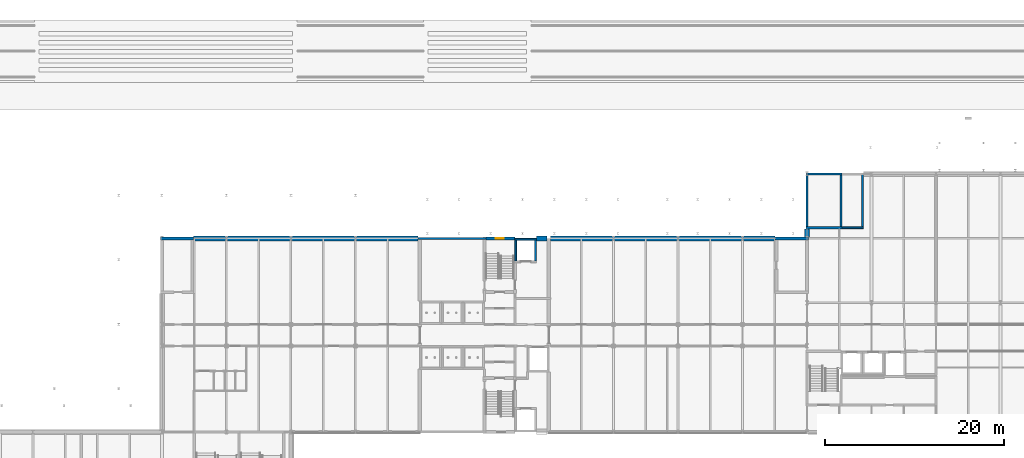
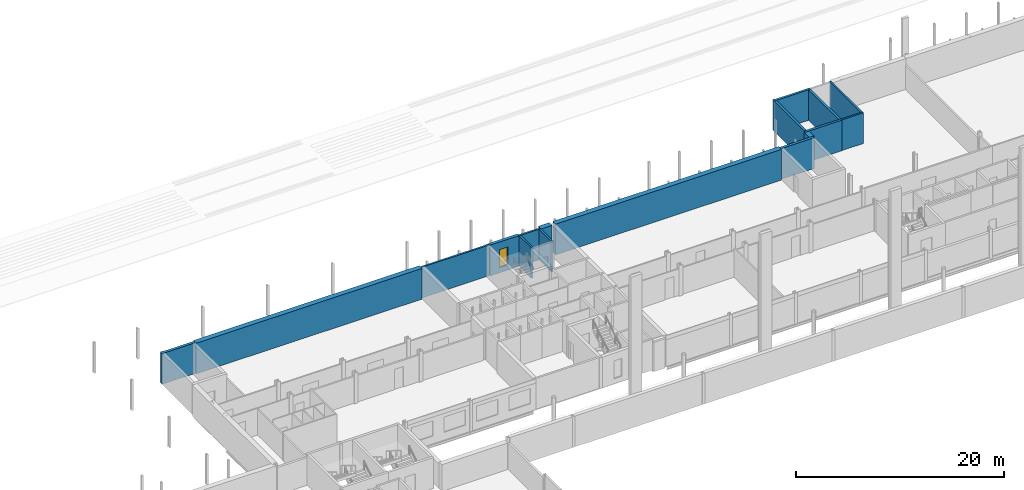
# One storey, part 59 of 90: 17 walls, 1 window, 1 opening.
"""IFC4 building model written with IfcOpenShell, lengths in metres."""

from ifc_helpers import new_model, si_unit, direction, frame, frame_2d, origin, place, context, subcontext, project, spatial, rectangle, extrude, material, layer, layer_set, type_object, element, fill, save


model = new_model("IFC4")

# Units and contexts
model_context = context("Model", 3, precision=1e-05, world=origin(), true_north=direction((0.0, 1.0)))
body_context = subcontext(model_context, "Body", "Model", "MODEL_VIEW")
ifc_project = project(units=[si_unit("LENGTHUNIT", "METRE"), si_unit("AREAUNIT", "SQUARE_METRE"), si_unit("VOLUMEUNIT", "CUBIC_METRE"), si_unit("PLANEANGLEUNIT", "RADIAN"), si_unit("MASSUNIT", "GRAM", prefix="KILO")], contexts=[model_context])

# Site, building, storey
site_placement = place(None, origin())
site = spatial("IfcSite", under=ifc_project, at=site_placement, CompositionType="ELEMENT")
building_placement = place(site_placement, origin())
building = spatial("IfcBuilding", under=site, at=building_placement, Name="Kupolbacken Congress Centre", CompositionType="ELEMENT")
storey_placement = place(building_placement, frame((0.0, 0.0, 3.60009765625)))
storey = spatial("IfcBuildingStorey", under=building, at=storey_placement, Name="L01", CompositionType="ELEMENT", Elevation=3.60009765625)

# Walls
ifc_material_1 = material(Name="Concrete C30/37", Category="concrete")
ifc_layer_1 = layer(ifc_material_1, 0.550048828125)
ifc_layer_set_1 = layer_set([ifc_layer_1], Name="Concrete C30/37")
wall_type_1 = type_object("IfcWallType", Name="RW3 retaining wall 550", PredefinedType="SOLIDWALL", material=ifc_layer_set_1)
wall_1_placement = place(storey_placement, frame((136.800048828125, 144.14990234375, 0.0), z_axis=(0.0, 0.0, 1.0), x_axis=(0.0, 1.0, 0.0)))
element("IfcWall", 1, at=wall_1_placement, inside=storey, type_object=wall_type_1, Name="Retaining wall BF04 L01", PredefinedType="SOLIDWALL", context=body_context, shape_type="SweptSolid", body=[
    extrude(rectangle(XDim=0.925048828125, YDim=0.550048828125, at=frame_2d((0.46240234375, 0.0))), origin(), (0.0, 0.0, 1.0), 3.599853515625),
])
wall_2_placement = place(storey_placement, frame((68.35009765625, 144.0, 0.0), z_axis=(0.0, 0.0, 1.0), x_axis=(1.0, 0.0, 0.0)))
element("IfcWall", 2, at=wall_2_placement, inside=storey, type_object=wall_type_1, Name="Retaining wall BF09 L01", PredefinedType="SOLIDWALL", context=body_context, shape_type="SweptSolid", body=[
    extrude(rectangle(XDim=25.0498046875, YDim=0.550048828125, at=frame_2d((12.52490234375, 0.0))), origin(), (0.0, 0.0, 1.0), 3.599853515625),
])
wall_3_placement = place(storey_placement, frame((106.60009765625, 144.0, 0.0), z_axis=(0.0, 0.0, 1.0), x_axis=(1.0, 0.0, 0.0)))
element("IfcWall", 3, at=wall_3_placement, inside=storey, type_object=wall_type_1, Name="Retaining wall BF10 L01", PredefinedType="SOLIDWALL", context=body_context, shape_type="SweptSolid", body=[
    extrude(rectangle(XDim=1.199951171875, YDim=0.550048828125, at=frame_2d((0.60009765625, 0.0))), origin(), (0.0, 0.0, 1.0), 3.599853515625),
])
wall_4_placement = place(storey_placement, frame((108.199951171875, 144.0, 0.0), z_axis=(0.0, 0.0, 1.0), x_axis=(1.0, 0.0, 0.0)))
element("IfcWall", 4, at=wall_4_placement, inside=storey, type_object=wall_type_1, Name="Retaining wall BF10 L01", PredefinedType="SOLIDWALL", context=body_context, shape_type="SweptSolid", body=[
    extrude(rectangle(XDim=25.050048828125, YDim=0.550048828125, at=frame_2d((12.52490234375, 0.0))), origin(), (0.0, 0.0, 1.0), 3.599853515625),
])
ifc_material_2 = material(Name="Concrete C40/50", Category="concrete")
ifc_layer_2 = layer(ifc_material_2, 0.199951171875)
ifc_layer_set_2 = layer_set([ifc_layer_2], Name="Concrete C40/50")
wall_type_2 = type_object("IfcWallType", Name="WC1 RC shaft wall 200", PredefinedType="SHEAR", material=ifc_layer_set_2)
wall_5_placement = place(storey_placement, frame((100.97509765625, 144.0, 0.0), z_axis=(0.0, 0.0, 1.0), x_axis=(-1.0, 0.0, 0.0)))
element("IfcWall", 5, at=wall_5_placement, inside=storey, type_object=wall_type_2, Name="Shaft wall L01-128", PredefinedType="SHEAR", context=body_context, shape_type="SweptSolid", body=[
    extrude(rectangle(XDim=7.5751953125, YDim=0.199951171875, at=frame_2d((3.78759765625, 0.0))), origin(), (0.0, 0.0, 1.0), 3.599853515625),
])
wall_6_placement = place(storey_placement, frame((140.72509765625, 145.199951171875, 0.0), z_axis=(0.0, 0.0, 1.0), x_axis=(1.0, 0.0, 0.0)))
element("IfcWall", 6, at=wall_6_placement, inside=storey, type_object=wall_type_2, Name="Shaft wall L01-133", PredefinedType="SHEAR", context=body_context, shape_type="SweptSolid", body=[
    extrude(rectangle(XDim=2.375, YDim=0.199951171875, at=frame_2d((1.1875, 0.0))), origin(), (0.0, 0.0, 1.0), 3.599853515625),
])
wall_7_placement = place(storey_placement, frame((143.0, 145.10009765625, 0.0), z_axis=(0.0, 0.0, 1.0), x_axis=(0.0, 1.0, 0.0)))
element("IfcWall", 7, at=wall_7_placement, inside=storey, type_object=wall_type_2, Name="Shaft wall L01-135", PredefinedType="SHEAR", context=body_context, shape_type="SweptSolid", body=[
    extrude(rectangle(XDim=6.199951171875, YDim=0.199951171875, at=frame_2d((3.10009765625, 0.0))), origin(), (0.0, 0.0, 1.0), 3.599853515625),
])
wall_8_placement = place(storey_placement, frame((104.199951171875, 143.89990234375, 0.0), z_axis=(0.0, 0.0, 1.0), x_axis=(1.0, 0.0, 0.0)))
element("IfcWall", 8, at=wall_8_placement, inside=storey, type_object=wall_type_2, Name="Shaft wall LF2", PredefinedType="SHEAR", context=body_context, shape_type="SweptSolid", body=[
    extrude(rectangle(XDim=2.400146484375, YDim=0.199951171875, at=frame_2d((1.2001953125, 0.0))), origin(), (0.0, 0.0, 1.0), 3.599853515625),
])
for number, where, z_axis, x_axis, name in (
    (9, (104.300048828125, 141.5, 0.0), (0.0, 0.0, 1.0), (0.0, 1.0, 0.0), "Shaft wall LF2"),
    (10, (106.5, 141.5, 0.0), (0.0, 0.0, 1.0), (0.0, 1.0, 0.0), "Shaft wall LF2"),
):
    element("IfcWall", number, at=place(storey_placement, frame(where, z_axis=z_axis, x_axis=x_axis)), inside=storey, type_object=wall_type_2, Name=name, PredefinedType="SHEAR", context=body_context, shape_type="SweptSolid", body=[
        extrude(rectangle(XDim=2.300048828125, YDim=0.199951171875, at=frame_2d((1.14990234375, 0.0))), origin(), (0.0, 0.0, 1.0), 3.599853515625),
    ])
ifc_material_3 = material(Name="Concrete C40/50", Category="concrete")
ifc_layer_3 = layer(ifc_material_3, 0.25)
ifc_layer_set_3 = layer_set([ifc_layer_3], Name="Concrete C40/50")
wall_type_3 = type_object("IfcWallType", Name="WC2 RC stair enclosure wall 250", PredefinedType="SHEAR", material=ifc_layer_set_3)
wall_9_placement = place(storey_placement, frame((136.675048828125, 145.199951171875, 0.0), z_axis=(0.0, 0.0, 1.0), x_axis=(1.0, 0.0, 0.0)))
element("IfcWall", 11, at=wall_9_placement, inside=storey, type_object=wall_type_3, Name="Stair enclosure wall L01-132", PredefinedType="SHEAR", context=body_context, shape_type="SweptSolid", body=[
    extrude(rectangle(XDim=4.050048828125, YDim=0.25, at=frame_2d((2.02490234375, 0.0))), origin(), (0.0, 0.0, 1.0), 3.599853515625),
])
for number, where, z_axis, x_axis, name in (
    (12, (140.60009765625, 145.074951171875, 0.0), (0.0, 0.0, 1.0), (0.0, 1.0, 0.0), "Stair enclosure wall L01-134"),
    (13, (136.800048828125, 151.324951171875, 0.0), (0.0, 0.0, 1.0), (0.0, -1.0, 0.0), "Stair enclosure wall L01-136"),
):
    element("IfcWall", number, at=place(storey_placement, frame(where, z_axis=z_axis, x_axis=x_axis)), inside=storey, type_object=wall_type_3, Name=name, PredefinedType="SHEAR", context=body_context, shape_type="SweptSolid", body=[
        extrude(rectangle(XDim=6.25, YDim=0.25, at=frame_2d((3.125, 0.0))), origin(), (0.0, 0.0, 1.0), 3.599853515625),
    ])
wall_10_placement = place(storey_placement, frame((140.72509765625, 151.199951171875, 0.0), z_axis=(0.0, 0.0, 1.0), x_axis=(-1.0, 0.0, 0.0)))
element("IfcWall", 14, at=wall_10_placement, inside=storey, type_object=wall_type_3, Name="Stair enclosure wall L01-137", PredefinedType="SHEAR", context=body_context, shape_type="SweptSolid", body=[
    extrude(rectangle(XDim=4.050048828125, YDim=0.25, at=frame_2d((2.02490234375, 0.0))), origin(), (0.0, 0.0, 1.0), 3.599853515625),
])
ifc_material_4 = material(Name="Concrete C40/50", Category="concrete")
ifc_layer_4 = layer(ifc_material_4, 0.300048828125)
ifc_layer_set_4 = layer_set([ifc_layer_4], Name="Concrete C40/50")
wall_type_4 = type_object("IfcWallType", Name="WC3 RC core wall 300", PredefinedType="SHEAR", material=ifc_layer_set_4)
wall_11_placement = place(storey_placement, frame((68.35009765625, 144.0, 0.0), z_axis=(0.0, 0.0, 1.0), x_axis=(-1.0, 0.0, 0.0)))
element("IfcWall", 15, at=wall_11_placement, inside=storey, type_object=wall_type_4, Name="Core wall L01-125", PredefinedType="SHEAR", context=body_context, shape_type="SweptSolid", body=[
    extrude(rectangle(XDim=3.7001953125, YDim=0.300048828125, at=frame_2d((1.85009765625, 0.0))), origin(), (0.0, 0.0, 1.0), 3.599853515625),
])
wall_12_placement = place(storey_placement, frame((136.949951171875, 144.0, 0.0), z_axis=(0.0, 0.0, 1.0), x_axis=(-1.0, 0.0, 0.0)))
element("IfcWall", 16, at=wall_12_placement, inside=storey, type_object=wall_type_4, Name="Core wall L01-131", PredefinedType="SHEAR", context=body_context, shape_type="SweptSolid", body=[
    extrude(rectangle(XDim=3.699951171875, YDim=0.300048828125, at=frame_2d((1.85009765625, 0.0))), origin(), (0.0, 0.0, 1.0), 3.599853515625),
])

# Wall, opening, window
ifc_material_5 = material(Name="Concrete C40/50", Category="concrete")
ifc_layer_5 = layer(ifc_material_5, 0.35009765625)
ifc_layer_set_5 = layer_set([ifc_layer_5], Name="Concrete C40/50")
wall_type_5 = type_object("IfcWallType", Name="WC4 RC core wall 350", PredefinedType="SHEAR", material=ifc_layer_set_5)
wall_13_placement = place(storey_placement, frame((104.199951171875, 144.0, 0.0), z_axis=(0.0, 0.0, 1.0), x_axis=(-1.0, 0.0, 0.0)))
wall_13 = element("IfcWall", 17, at=wall_13_placement, inside=storey, type_object=wall_type_5, Name="Core wall L01-129", PredefinedType="SHEAR", context=body_context, shape_type="SweptSolid", body=[
    extrude(rectangle(XDim=3.224853515625, YDim=0.35009765625, at=frame_2d((1.6123046875, 0.0))), origin(), (0.0, 0.0, 1.0), 3.599853515625),
])
opening_placement = place(wall_13_placement, frame((1.25, 0.0, 0.60009765625)))
opening = element("IfcOpeningElement", 18, at=opening_placement, cuts=wall_13, Name="Opening W28", PredefinedType="OPENING", context=body_context, shape_type="SweptSolid", body=[
    extrude(rectangle(XDim=0.89990234375, YDim=2.10009765625, at=frame_2d((0.449951171875, 1.050048828125))), frame((0.0, 0.18505859375, 0.0), z_axis=(0.0, -1.0, 0.0), x_axis=(1.0, 0.0, 0.0)), (0.0, 0.0, 1.0), 0.3701171875),
])
ifc_material_6 = material(Name="Aluminium frame with double or triple glazing", Category="aluminium")
window_type = type_object("IfcWindowType", Name="W28 window 900x2100", PartitioningType="SINGLE_PANEL", PredefinedType="WINDOW", material=ifc_material_6)
window_placement = place(opening_placement, origin())
window = element("IfcWindow", 19, at=window_placement, inside=storey, type_object=window_type, Name="S/core/L01/129/WW28", OverallHeight=2.10009765625, OverallWidth=0.89990234375, PartitioningType="SINGLE_PANEL", PredefinedType="WINDOW", context=body_context, shape_type="SweptSolid", body=[
    extrude(rectangle(XDim=0.89990234375, YDim=2.10009765625, at=frame_2d((0.449951171875, 1.050048828125))), frame((0.0, 0.030029296875, 0.0), z_axis=(0.0, -1.0, 0.0), x_axis=(1.0, 0.0, 0.0)), (0.0, 0.0, 1.0), 0.06005859375),
])
fill(opening, window)

save(model, "model.ifc")
